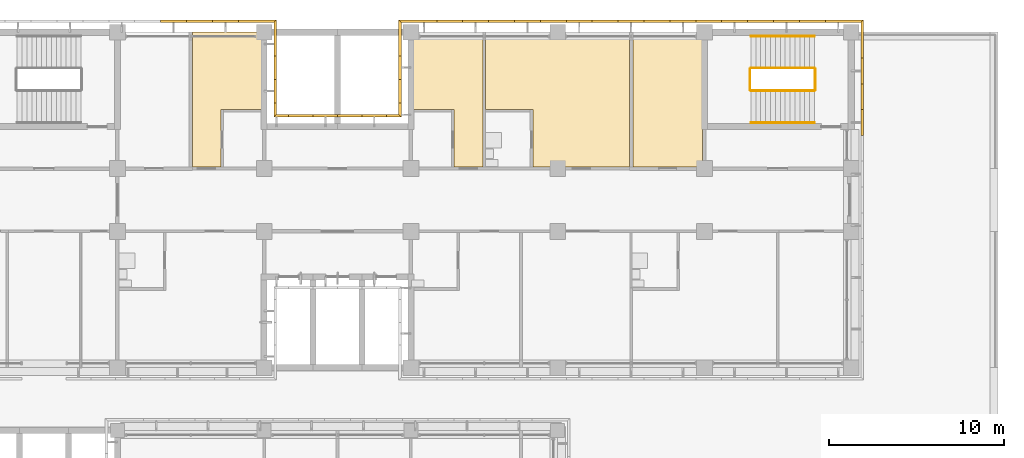
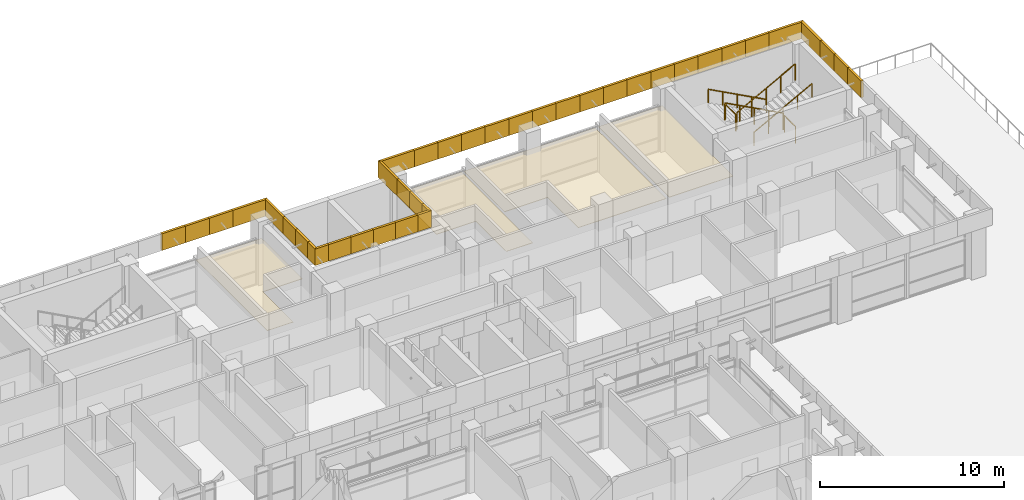
# One storey, part 136 of 137: 43 coverings, 6 railings.
"""IFC4 building model written with IfcOpenShell, lengths in metres."""

from ifc_helpers import new_model, si_unit, direction, frame, origin, origin_2d, place, context, subcontext, project, spatial, polyline, circle, outline, extrude, material, layer, layer_set, type_object, element, save


model = new_model("IFC4")

# Units and contexts
model_context = context("Model", 3, precision=1e-05, world=origin(), true_north=direction((0.0, 1.0)))
body_context = subcontext(model_context, "Body", "Model", "MODEL_VIEW")
ifc_project = project(units=[si_unit("LENGTHUNIT", "METRE"), si_unit("AREAUNIT", "SQUARE_METRE"), si_unit("VOLUMEUNIT", "CUBIC_METRE"), si_unit("PLANEANGLEUNIT", "RADIAN"), si_unit("MASSUNIT", "GRAM", prefix="KILO")], contexts=[model_context])

# Site, building, storey
site_placement = place(None, origin())
site = spatial("IfcSite", under=ifc_project, at=site_placement, CompositionType="ELEMENT")
building_placement = place(site_placement, origin())
building = spatial("IfcBuilding", under=site, at=building_placement, Name="Bougainvillea Quay General Hospital", CompositionType="ELEMENT")
storey_placement = place(building_placement, frame((0.0, 0.0, 16.800048828125)))
storey = spatial("IfcBuildingStorey", under=building, at=storey_placement, Name="L03", CompositionType="ELEMENT", Elevation=16.800048828125)

# Coverings
ifc_material_1 = material(Name="Powder-coated aluminium fascia, white", Category="aluminium")
ifc_layer_1 = layer(ifc_material_1, 0.14990234375)
ifc_layer_set_1 = layer_set([ifc_layer_1], Name="Powder-coated aluminium fascia, white")
covering_type_1 = type_object("IfcCoveringType", Name="Aluminium fascia band white 150x1100", PredefinedType="CLADDING", material=ifc_layer_set_1)
covering_1_placement = place(storey_placement, frame((185.35009765625, 153.6923828125, 3.64990234375), z_axis=(0.0, 0.0, 1.0), x_axis=(0.0, 1.0, 0.0)))
element("IfcCovering", 1, at=covering_1_placement, inside=storey, type_object=covering_type_1, Name="Fascia band white e0 49", PredefinedType="CLADDING", context=body_context, shape_type="SweptSolid", body=[
    extrude(outline(polyline([(0.0, 0.0), (1.476806640625, 0.0), (1.476806640625, -0.14990234375), (0.0, -0.14990234375), (0.0, 0.0)])), origin(), (0.0, 0.0, 1.0), 1.10009765625),
])
covering_2_placement = place(storey_placement, frame((185.35009765625, 155.169189453125, 3.64990234375), z_axis=(0.0, 0.0, 1.0), x_axis=(0.0, 1.0, 0.0)))
element("IfcCovering", 2, at=covering_2_placement, inside=storey, type_object=covering_type_1, Name="Fascia band white e0 50", PredefinedType="CLADDING", context=body_context, shape_type="SweptSolid", body=[
    extrude(outline(polyline([(0.0, 0.0), (1.47705078125, 0.0), (1.47705078125, -0.14990234375), (0.0, -0.14990234375), (0.0, 0.0)])), origin(), (0.0, 0.0, 1.0), 1.10009765625),
])
covering_3_placement = place(storey_placement, frame((185.35009765625, 156.646240234375, 3.64990234375), z_axis=(0.0, 0.0, 1.0), x_axis=(0.0, 1.0, 0.0)))
element("IfcCovering", 3, at=covering_3_placement, inside=storey, type_object=covering_type_1, Name="Fascia band white e0 51", PredefinedType="CLADDING", context=body_context, shape_type="SweptSolid", body=[
    extrude(outline(polyline([(0.0, 0.0), (1.476806640625, 0.0), (1.476806640625, -0.14990234375), (0.0, -0.14990234375), (0.0, 0.0)])), origin(), (0.0, 0.0, 1.0), 1.10009765625),
])
covering_4_placement = place(storey_placement, frame((185.35009765625, 158.123046875, 3.64990234375), z_axis=(0.0, 0.0, 1.0), x_axis=(0.0, 1.0, 0.0)))
element("IfcCovering", 4, at=covering_4_placement, inside=storey, type_object=covering_type_1, Name="Fascia band white e0 52", PredefinedType="CLADDING", context=body_context, shape_type="SweptSolid", body=[
    extrude(outline(polyline([(0.0, 0.0), (2.02685546875, 0.0), (2.177001953125, -0.14990234375), (0.0, -0.14990234375), (0.0, 0.0)])), origin(), (0.0, 0.0, 1.0), 1.10009765625),
])
covering_5_placement = place(storey_placement, frame((185.35009765625, 160.14990234375, 3.64990234375), z_axis=(0.0, 0.0, 1.0), x_axis=(-1.0, 0.0, 0.0)))
element("IfcCovering", 5, at=covering_5_placement, inside=storey, type_object=covering_type_1, Name="Fascia band white e0 53", PredefinedType="CLADDING", context=body_context, shape_type="SweptSolid", body=[
    extrude(outline(polyline([(0.0, 0.0), (2.032470703125, 0.0), (2.032470703125, -0.150146484375), (-0.14990234375, -0.150146484375), (0.0, 0.0)])), origin(), (0.0, 0.0, 1.0), 1.10009765625),
])
covering_6_placement = place(storey_placement, frame((183.317626953125, 160.14990234375, 3.64990234375), z_axis=(0.0, 0.0, 1.0), x_axis=(-1.0, 0.0, 0.0)))
element("IfcCovering", 6, at=covering_6_placement, inside=storey, type_object=covering_type_1, Name="Fascia band white e0 54", PredefinedType="CLADDING", context=body_context, shape_type="SweptSolid", body=[
    extrude(outline(polyline([(0.0, 0.0), (1.482421875, 0.0), (1.482421875, -0.150146484375), (0.0, -0.150146484375), (0.0, 0.0)])), origin(), (0.0, 0.0, 1.0), 1.10009765625),
])
covering_7_placement = place(storey_placement, frame((181.835205078125, 160.14990234375, 3.64990234375), z_axis=(0.0, 0.0, 1.0), x_axis=(-1.0, 0.0, 0.0)))
element("IfcCovering", 7, at=covering_7_placement, inside=storey, type_object=covering_type_1, Name="Fascia band white e0 55", PredefinedType="CLADDING", context=body_context, shape_type="SweptSolid", body=[
    extrude(outline(polyline([(0.0, 0.0), (1.482177734375, 0.0), (1.482177734375, -0.150146484375), (0.0, -0.150146484375), (0.0, 0.0)])), origin(), (0.0, 0.0, 1.0), 1.10009765625),
])
for number, where, z_axis, x_axis, name in (
    (8, (180.35302734375, 160.14990234375, 3.64990234375), (0.0, 0.0, 1.0), (-1.0, 0.0, 0.0), "Fascia band white e0 56"),
    (9, (178.87060546875, 160.14990234375, 3.64990234375), (0.0, 0.0, 1.0), (-1.0, 0.0, 0.0), "Fascia band white e0 57"),
    (10, (177.38818359375, 160.14990234375, 3.64990234375), (0.0, 0.0, 1.0), (-1.0, 0.0, 0.0), "Fascia band white e0 58"),
):
    element("IfcCovering", number, at=place(storey_placement, frame(where, z_axis=z_axis, x_axis=x_axis)), inside=storey, type_object=covering_type_1, Name=name, PredefinedType="CLADDING", context=body_context, shape_type="SweptSolid", body=[
        extrude(outline(polyline([(0.0, 0.0), (1.482421875, 0.0), (1.482421875, -0.150146484375), (0.0, -0.150146484375), (0.0, 0.0)])), origin(), (0.0, 0.0, 1.0), 1.10009765625),
    ])
covering_8_placement = place(storey_placement, frame((175.90576171875, 160.14990234375, 3.64990234375), z_axis=(0.0, 0.0, 1.0), x_axis=(-1.0, 0.0, 0.0)))
element("IfcCovering", 11, at=covering_8_placement, inside=storey, type_object=covering_type_1, Name="Fascia band white e0 59", PredefinedType="CLADDING", context=body_context, shape_type="SweptSolid", body=[
    extrude(outline(polyline([(0.0, 0.0), (1.482177734375, 0.0), (1.482177734375, -0.150146484375), (0.0, -0.150146484375), (0.0, 0.0)])), origin(), (0.0, 0.0, 1.0), 1.10009765625),
])
for number, where, z_axis, x_axis, name in (
    (12, (174.423583984375, 160.14990234375, 3.64990234375), (0.0, 0.0, 1.0), (-1.0, 0.0, 0.0), "Fascia band white e0 60"),
    (13, (172.941162109375, 160.14990234375, 3.64990234375), (0.0, 0.0, 1.0), (-1.0, 0.0, 0.0), "Fascia band white e0 61"),
):
    element("IfcCovering", number, at=place(storey_placement, frame(where, z_axis=z_axis, x_axis=x_axis)), inside=storey, type_object=covering_type_1, Name=name, PredefinedType="CLADDING", context=body_context, shape_type="SweptSolid", body=[
        extrude(outline(polyline([(0.0, 0.0), (1.482421875, 0.0), (1.482421875, -0.150146484375), (0.0, -0.150146484375), (0.0, 0.0)])), origin(), (0.0, 0.0, 1.0), 1.10009765625),
    ])
covering_9_placement = place(storey_placement, frame((171.458740234375, 160.14990234375, 3.64990234375), z_axis=(0.0, 0.0, 1.0), x_axis=(-1.0, 0.0, 0.0)))
element("IfcCovering", 14, at=covering_9_placement, inside=storey, type_object=covering_type_1, Name="Fascia band white e0 62", PredefinedType="CLADDING", context=body_context, shape_type="SweptSolid", body=[
    extrude(outline(polyline([(0.0, 0.0), (1.482177734375, 0.0), (1.482177734375, -0.150146484375), (0.0, -0.150146484375), (0.0, 0.0)])), origin(), (0.0, 0.0, 1.0), 1.10009765625),
])
for number, where, z_axis, x_axis, name in (
    (15, (169.9765625, 160.14990234375, 3.64990234375), (0.0, 0.0, 1.0), (-1.0, 0.0, 0.0), "Fascia band white e0 63"),
    (16, (168.494140625, 160.14990234375, 3.64990234375), (0.0, 0.0, 1.0), (-1.0, 0.0, 0.0), "Fascia band white e0 64"),
    (17, (167.01171875, 160.14990234375, 3.64990234375), (0.0, 0.0, 1.0), (-1.0, 0.0, 0.0), "Fascia band white e0 65"),
):
    element("IfcCovering", number, at=place(storey_placement, frame(where, z_axis=z_axis, x_axis=x_axis)), inside=storey, type_object=covering_type_1, Name=name, PredefinedType="CLADDING", context=body_context, shape_type="SweptSolid", body=[
        extrude(outline(polyline([(0.0, 0.0), (1.482421875, 0.0), (1.482421875, -0.150146484375), (0.0, -0.150146484375), (0.0, 0.0)])), origin(), (0.0, 0.0, 1.0), 1.10009765625),
    ])
covering_10_placement = place(storey_placement, frame((165.529296875, 160.14990234375, 3.64990234375), z_axis=(0.0, 0.0, 1.0), x_axis=(-1.0, 0.0, 0.0)))
element("IfcCovering", 18, at=covering_10_placement, inside=storey, type_object=covering_type_1, Name="Fascia band white e0 66", PredefinedType="CLADDING", context=body_context, shape_type="SweptSolid", body=[
    extrude(outline(polyline([(0.0, 0.0), (1.482177734375, 0.0), (1.482177734375, -0.150146484375), (0.0, -0.150146484375), (0.0, 0.0)])), origin(), (0.0, 0.0, 1.0), 1.10009765625),
])
for number, where, z_axis, x_axis, name in (
    (19, (164.047119140625, 160.14990234375, 3.64990234375), (0.0, 0.0, 1.0), (-1.0, 0.0, 0.0), "Fascia band white e0 67"),
    (20, (162.564697265625, 160.14990234375, 3.64990234375), (0.0, 0.0, 1.0), (-1.0, 0.0, 0.0), "Fascia band white e0 68"),
):
    element("IfcCovering", number, at=place(storey_placement, frame(where, z_axis=z_axis, x_axis=x_axis)), inside=storey, type_object=covering_type_1, Name=name, PredefinedType="CLADDING", context=body_context, shape_type="SweptSolid", body=[
        extrude(outline(polyline([(0.0, 0.0), (1.482421875, 0.0), (1.482421875, -0.150146484375), (0.0, -0.150146484375), (0.0, 0.0)])), origin(), (0.0, 0.0, 1.0), 1.10009765625),
    ])
covering_11_placement = place(storey_placement, frame((161.082275390625, 160.14990234375, 3.64990234375), z_axis=(0.0, 0.0, 1.0), x_axis=(-1.0, 0.0, 0.0)))
element("IfcCovering", 21, at=covering_11_placement, inside=storey, type_object=covering_type_1, Name="Fascia band white e0 69", PredefinedType="CLADDING", context=body_context, shape_type="SweptSolid", body=[
    extrude(outline(polyline([(0.0, 0.0), (2.0322265625, 0.0), (2.182373046875, -0.150146484375), (0.0, -0.150146484375), (0.0, 0.0)])), origin(), (0.0, 0.0, 1.0), 1.10009765625),
])
covering_12_placement = place(storey_placement, frame((159.050048828125, 160.14990234375, 3.64990234375), z_axis=(0.0, 0.0, 1.0), x_axis=(0.0, -1.0, 0.0)))
element("IfcCovering", 22, at=covering_12_placement, inside=storey, type_object=covering_type_1, Name="Fascia band white e0 70", PredefinedType="CLADDING", context=body_context, shape_type="SweptSolid", body=[
    extrude(outline(polyline([(0.0, 0.0), (1.89990234375, 0.0), (1.89990234375, -0.150146484375), (-0.150146484375, -0.150146484375), (0.0, 0.0)])), origin(), (0.0, 0.0, 1.0), 1.10009765625),
])
covering_13_placement = place(storey_placement, frame((159.050048828125, 158.25, 3.64990234375), z_axis=(0.0, 0.0, 1.0), x_axis=(0.0, -1.0, 0.0)))
element("IfcCovering", 23, at=covering_13_placement, inside=storey, type_object=covering_type_1, Name="Fascia band white e0 71", PredefinedType="CLADDING", context=body_context, shape_type="SweptSolid", body=[
    extrude(outline(polyline([(0.0, 0.0), (1.35009765625, 0.0), (1.35009765625, -0.150146484375), (0.0, -0.150146484375), (0.0, 0.0)])), origin(), (0.0, 0.0, 1.0), 1.10009765625),
])
covering_14_placement = place(storey_placement, frame((159.050048828125, 156.89990234375, 3.64990234375), z_axis=(0.0, 0.0, 1.0), x_axis=(0.0, -1.0, 0.0)))
element("IfcCovering", 24, at=covering_14_placement, inside=storey, type_object=covering_type_1, Name="Fascia band white e0 72", PredefinedType="CLADDING", context=body_context, shape_type="SweptSolid", body=[
    extrude(outline(polyline([(0.0, 0.0), (1.349853515625, 0.0), (1.349853515625, -0.150146484375), (0.0, -0.150146484375), (0.0, 0.0)])), origin(), (0.0, 0.0, 1.0), 1.10009765625),
])
covering_15_placement = place(storey_placement, frame((159.050048828125, 155.550048828125, 3.64990234375), z_axis=(0.0, 0.0, 1.0), x_axis=(0.0, -1.0, 0.0)))
element("IfcCovering", 25, at=covering_15_placement, inside=storey, type_object=covering_type_1, Name="Fascia band white e0 73", PredefinedType="CLADDING", context=body_context, shape_type="SweptSolid", body=[
    extrude(outline(polyline([(0.0, 0.0), (0.800048828125, 0.0), (0.650146484375, -0.150146484375), (0.0, -0.150146484375), (0.0, 0.0)])), origin(), (0.0, 0.0, 1.0), 1.10009765625),
])
covering_16_placement = place(storey_placement, frame((159.050048828125, 154.75, 3.64990234375), z_axis=(0.0, 0.0, 1.0), x_axis=(-1.0, 0.0, 0.0)))
element("IfcCovering", 26, at=covering_16_placement, inside=storey, type_object=covering_type_1, Name="Fascia band white e0 74", PredefinedType="CLADDING", context=body_context, shape_type="SweptSolid", body=[
    extrude(outline(polyline([(0.0, 0.0), (0.85009765625, 0.0), (0.85009765625, -0.14990234375), (0.150146484375, -0.14990234375), (0.0, 0.0)])), origin(), (0.0, 0.0, 1.0), 1.10009765625),
])
covering_17_placement = place(storey_placement, frame((158.199951171875, 154.75, 3.64990234375), z_axis=(0.0, 0.0, 1.0), x_axis=(-1.0, 0.0, 0.0)))
element("IfcCovering", 27, at=covering_17_placement, inside=storey, type_object=covering_type_1, Name="Fascia band white e0 75", PredefinedType="CLADDING", context=body_context, shape_type="SweptSolid", body=[
    extrude(outline(polyline([(0.0, 0.0), (1.39990234375, 0.0), (1.39990234375, -0.14990234375), (0.0, -0.14990234375), (0.0, 0.0)])), origin(), (0.0, 0.0, 1.0), 1.10009765625),
])
covering_18_placement = place(storey_placement, frame((156.800048828125, 154.75, 3.64990234375), z_axis=(0.0, 0.0, 1.0), x_axis=(-1.0, 0.0, 0.0)))
element("IfcCovering", 28, at=covering_18_placement, inside=storey, type_object=covering_type_1, Name="Fascia band white e0 76", PredefinedType="CLADDING", context=body_context, shape_type="SweptSolid", body=[
    extrude(outline(polyline([(0.0, 0.0), (1.400146484375, 0.0), (1.400146484375, -0.14990234375), (0.0, -0.14990234375), (0.0, 0.0)])), origin(), (0.0, 0.0, 1.0), 1.10009765625),
])
for number, where, z_axis, x_axis, name in (
    (29, (155.39990234375, 154.75, 3.64990234375), (0.0, 0.0, 1.0), (-1.0, 0.0, 0.0), "Fascia band white e0 77"),
    (30, (154.0, 154.75, 3.64990234375), (0.0, 0.0, 1.0), (-1.0, 0.0, 0.0), "Fascia band white e0 78"),
):
    element("IfcCovering", number, at=place(storey_placement, frame(where, z_axis=z_axis, x_axis=x_axis)), inside=storey, type_object=covering_type_1, Name=name, PredefinedType="CLADDING", context=body_context, shape_type="SweptSolid", body=[
        extrude(outline(polyline([(0.0, 0.0), (1.39990234375, 0.0), (1.39990234375, -0.14990234375), (0.0, -0.14990234375), (0.0, 0.0)])), origin(), (0.0, 0.0, 1.0), 1.10009765625),
    ])
covering_19_placement = place(storey_placement, frame((152.60009765625, 154.75, 3.64990234375), z_axis=(0.0, 0.0, 1.0), x_axis=(-1.0, 0.0, 0.0)))
element("IfcCovering", 31, at=covering_19_placement, inside=storey, type_object=covering_type_1, Name="Fascia band white e0 79", PredefinedType="CLADDING", context=body_context, shape_type="SweptSolid", body=[
    extrude(outline(polyline([(0.0, 0.0), (0.85009765625, 0.0), (0.7001953125, -0.14990234375), (0.0, -0.14990234375), (0.0, 0.0)])), origin(), (0.0, 0.0, 1.0), 1.10009765625),
])
covering_20_placement = place(storey_placement, frame((151.75, 154.75, 3.64990234375), z_axis=(0.0, 0.0, 1.0), x_axis=(0.0, 1.0, 0.0)))
element("IfcCovering", 32, at=covering_20_placement, inside=storey, type_object=covering_type_1, Name="Fascia band white e0 80", PredefinedType="CLADDING", context=body_context, shape_type="SweptSolid", body=[
    extrude(outline(polyline([(0.0, 0.0), (0.800048828125, 0.0), (0.800048828125, -0.14990234375), (0.14990234375, -0.14990234375), (0.0, 0.0)])), origin(), (0.0, 0.0, 1.0), 1.10009765625),
])
covering_21_placement = place(storey_placement, frame((151.75, 155.550048828125, 3.64990234375), z_axis=(0.0, 0.0, 1.0), x_axis=(0.0, 1.0, 0.0)))
element("IfcCovering", 33, at=covering_21_placement, inside=storey, type_object=covering_type_1, Name="Fascia band white e0 81", PredefinedType="CLADDING", context=body_context, shape_type="SweptSolid", body=[
    extrude(outline(polyline([(0.0, 0.0), (1.349853515625, 0.0), (1.349853515625, -0.14990234375), (0.0, -0.14990234375), (0.0, 0.0)])), origin(), (0.0, 0.0, 1.0), 1.10009765625),
])
covering_22_placement = place(storey_placement, frame((151.75, 156.89990234375, 3.64990234375), z_axis=(0.0, 0.0, 1.0), x_axis=(0.0, 1.0, 0.0)))
element("IfcCovering", 34, at=covering_22_placement, inside=storey, type_object=covering_type_1, Name="Fascia band white e0 82", PredefinedType="CLADDING", context=body_context, shape_type="SweptSolid", body=[
    extrude(outline(polyline([(0.0, 0.0), (1.35009765625, 0.0), (1.35009765625, -0.14990234375), (0.0, -0.14990234375), (0.0, 0.0)])), origin(), (0.0, 0.0, 1.0), 1.10009765625),
])
covering_23_placement = place(storey_placement, frame((151.75, 158.25, 3.64990234375), z_axis=(0.0, 0.0, 1.0), x_axis=(0.0, 1.0, 0.0)))
element("IfcCovering", 35, at=covering_23_placement, inside=storey, type_object=covering_type_1, Name="Fascia band white e0 83", PredefinedType="CLADDING", context=body_context, shape_type="SweptSolid", body=[
    extrude(outline(polyline([(0.0, 0.0), (1.89990234375, 0.0), (2.050048828125, -0.14990234375), (0.0, -0.14990234375), (0.0, 0.0)])), origin(), (0.0, 0.0, 1.0), 1.10009765625),
])
covering_24_placement = place(storey_placement, frame((151.75, 160.14990234375, 3.64990234375), z_axis=(0.0, 0.0, 1.0), x_axis=(-1.0, 0.0, 0.0)))
element("IfcCovering", 36, at=covering_24_placement, inside=storey, type_object=covering_type_1, Name="Fascia band white e0 84", PredefinedType="CLADDING", context=body_context, shape_type="SweptSolid", body=[
    extrude(outline(polyline([(0.0, 0.0), (2.032470703125, 0.0), (2.032470703125, -0.150146484375), (-0.14990234375, -0.150146484375), (0.0, 0.0)])), origin(), (0.0, 0.0, 1.0), 1.10009765625),
])
covering_25_placement = place(storey_placement, frame((149.717529296875, 160.14990234375, 3.64990234375), z_axis=(0.0, 0.0, 1.0), x_axis=(-1.0, 0.0, 0.0)))
element("IfcCovering", 37, at=covering_25_placement, inside=storey, type_object=covering_type_1, Name="Fascia band white e0 85", PredefinedType="CLADDING", context=body_context, shape_type="SweptSolid", body=[
    extrude(outline(polyline([(0.0, 0.0), (1.482177734375, 0.0), (1.482177734375, -0.150146484375), (0.0, -0.150146484375), (0.0, 0.0)])), origin(), (0.0, 0.0, 1.0), 1.10009765625),
])
for number, where, z_axis, x_axis, name in (
    (38, (148.2353515625, 160.14990234375, 3.64990234375), (0.0, 0.0, 1.0), (-1.0, 0.0, 0.0), "Fascia band white e0 86"),
    (39, (146.7529296875, 160.14990234375, 3.64990234375), (0.0, 0.0, 1.0), (-1.0, 0.0, 0.0), "Fascia band white e0 87"),
):
    element("IfcCovering", number, at=place(storey_placement, frame(where, z_axis=z_axis, x_axis=x_axis)), inside=storey, type_object=covering_type_1, Name=name, PredefinedType="CLADDING", context=body_context, shape_type="SweptSolid", body=[
        extrude(outline(polyline([(0.0, 0.0), (1.482421875, 0.0), (1.482421875, -0.150146484375), (0.0, -0.150146484375), (0.0, 0.0)])), origin(), (0.0, 0.0, 1.0), 1.10009765625),
    ])

# Railings
ifc_material_2 = material(Name="Stainless steel 304 balustrade", Category="steel")
railing_type_1 = type_object("IfcRailingType", Name="Stair guard 1100", PredefinedType="GUARDRAIL", material=ifc_material_2)
railing_1_placement = place(storey_placement, frame((182.699951171875, 157.550048828125, 0.14990234375)))
element("IfcRailing", 40, at=railing_1_placement, inside=storey, type_object=railing_type_1, Name="L03 ST-A4 stair guard 1", PredefinedType="GUARDRAIL", context=body_context, shape_type="SweptSolid", body=[
    extrude(circle(Radius=0.02392578125, at=origin_2d()), frame((0.0, 0.0, 1.076171875), z_axis=(-0.881479091078, 0.0, 0.472223053219), x_axis=(0.0, -1.0, 0.0)), (0.0, 0.0, 1.0), 4.12939453125),
    extrude(circle(Radius=0.02099609375, at=origin_2d()), origin(), (0.0, 0.0, 1.0), 1.052001953125),
    extrude(circle(Radius=0.02099609375, at=origin_2d()), frame((-0.909912109375, 0.0, 0.487548828125)), (0.0, 0.0, 1.0), 1.052001953125),
    extrude(circle(Radius=0.02099609375, at=origin_2d()), frame((-1.81982421875, 0.0, 0.97509765625)), (0.0, 0.0, 1.0), 1.052001953125),
    extrude(circle(Radius=0.02099609375, at=origin_2d()), frame((-2.72998046875, 0.0, 1.46240234375)), (0.0, 0.0, 1.0), 1.052001953125),
    extrude(circle(Radius=0.02099609375, at=origin_2d()), frame((-3.639892578125, 0.0, 1.949951171875)), (0.0, 0.0, 1.0), 1.052001953125),
])
railing_2_placement = place(storey_placement, frame((179.010009765625, 157.5, 2.099853515625)))
element("IfcRailing", 41, at=railing_2_placement, inside=storey, type_object=railing_type_1, Name="L03 ST-A4 stair guard 2", PredefinedType="GUARDRAIL", context=body_context, shape_type="SweptSolid", body=[
    extrude(circle(Radius=0.02392578125, at=origin_2d()), frame((0.0, 0.0, 1.076171875), z_axis=(0.0, -1.0, 0.0), x_axis=(1.0, 0.0, 0.0)), (0.0, 0.0, 1.0), 1.199951171875),
    extrude(circle(Radius=0.02099609375, at=origin_2d()), origin(), (0.0, 0.0, 1.0), 1.052001953125),
    extrude(circle(Radius=0.02099609375, at=origin_2d()), frame((0.0, -1.199951171875, 0.0)), (0.0, 0.0, 1.0), 1.052001953125),
])
railing_3_placement = place(storey_placement, frame((179.06005859375, 156.25, 2.25)))
element("IfcRailing", 42, at=railing_3_placement, inside=storey, type_object=railing_type_1, Name="L03 ST-A4 stair guard 3", PredefinedType="GUARDRAIL", context=body_context, shape_type="SweptSolid", body=[
    extrude(circle(Radius=0.02392578125, at=origin_2d()), frame((0.0, 0.0, 1.076171875), z_axis=(0.881479091078, 0.0, 0.472223053219), x_axis=(0.0, 1.0, 0.0)), (0.0, 0.0, 1.0), 4.12939453125),
    extrude(circle(Radius=0.02099609375, at=origin_2d()), origin(), (0.0, 0.0, 1.0), 1.052001953125),
    extrude(circle(Radius=0.02099609375, at=origin_2d()), frame((0.909912109375, 0.0, 0.487548828125)), (0.0, 0.0, 1.0), 1.052001953125),
    extrude(circle(Radius=0.02099609375, at=origin_2d()), frame((1.81982421875, 0.0, 0.97509765625)), (0.0, 0.0, 1.0), 1.052001953125),
    extrude(circle(Radius=0.02099609375, at=origin_2d()), frame((2.72998046875, 0.0, 1.46240234375)), (0.0, 0.0, 1.0), 1.052001953125),
    extrude(circle(Radius=0.02099609375, at=origin_2d()), frame((3.639892578125, 0.0, 1.949951171875)), (0.0, 0.0, 1.0), 1.052001953125),
])
railing_4_placement = place(storey_placement, frame((182.75, 157.5, 0.0)))
element("IfcRailing", 43, at=railing_4_placement, inside=storey, type_object=railing_type_1, Name="L03 ST-A4 stair guard 4", PredefinedType="GUARDRAIL", context=body_context, shape_type="SweptSolid", body=[
    extrude(circle(Radius=0.02392578125, at=origin_2d()), frame((0.0, 0.0, 1.076171875), z_axis=(0.0, -1.0, 0.0), x_axis=(1.0, 0.0, 0.0)), (0.0, 0.0, 1.0), 1.199951171875),
    extrude(circle(Radius=0.02099609375, at=origin_2d()), origin(), (0.0, 0.0, 1.0), 1.052001953125),
    extrude(circle(Radius=0.02099609375, at=origin_2d()), frame((0.0, -1.199951171875, 0.0)), (0.0, 0.0, 1.0), 1.052001953125),
])
ifc_material_3 = material(Name="Stainless steel 304 handrail", Category="steel")
railing_type_2 = type_object("IfcRailingType", Name="Stair handrail 900", PredefinedType="HANDRAIL", material=ifc_material_3)
railing_5_placement = place(storey_placement, frame((182.699951171875, 159.375, 0.14990234375)))
element("IfcRailing", 44, at=railing_5_placement, inside=storey, type_object=railing_type_2, Name="L03 ST-A4 stair handrail 1", PredefinedType="HANDRAIL", context=body_context, shape_type="SweptSolid", body=[
    extrude(circle(Radius=0.02392578125, at=origin_2d()), frame((0.0, 0.0, 0.8759765625), z_axis=(-0.881479091078, 0.0, 0.472223053219), x_axis=(0.0, -1.0, 0.0)), (0.0, 0.0, 1.0), 4.12939453125),
    extrude(circle(Radius=0.02099609375, at=origin_2d()), origin(), (0.0, 0.0, 1.0), 0.851806640625),
    extrude(circle(Radius=0.02099609375, at=origin_2d()), frame((-0.909912109375, 0.0, 0.487548828125)), (0.0, 0.0, 1.0), 0.851806640625),
    extrude(circle(Radius=0.02099609375, at=origin_2d()), frame((-1.81982421875, 0.0, 0.97509765625)), (0.0, 0.0, 1.0), 0.851806640625),
    extrude(circle(Radius=0.02099609375, at=origin_2d()), frame((-2.72998046875, 0.0, 1.46240234375)), (0.0, 0.0, 1.0), 0.851806640625),
    extrude(circle(Radius=0.02099609375, at=origin_2d()), frame((-3.639892578125, 0.0, 1.949951171875)), (0.0, 0.0, 1.0), 0.851806640625),
])
railing_6_placement = place(storey_placement, frame((179.06005859375, 154.425048828125, 2.25)))
element("IfcRailing", 45, at=railing_6_placement, inside=storey, type_object=railing_type_2, Name="L03 ST-A4 stair handrail 2", PredefinedType="HANDRAIL", context=body_context, shape_type="SweptSolid", body=[
    extrude(circle(Radius=0.02392578125, at=origin_2d()), frame((0.0, 0.0, 0.8759765625), z_axis=(0.881479091078, 0.0, 0.472223053219), x_axis=(0.0, 1.0, 0.0)), (0.0, 0.0, 1.0), 4.12939453125),
    extrude(circle(Radius=0.02099609375, at=origin_2d()), origin(), (0.0, 0.0, 1.0), 0.851806640625),
    extrude(circle(Radius=0.02099609375, at=origin_2d()), frame((0.909912109375, 0.0, 0.487548828125)), (0.0, 0.0, 1.0), 0.851806640625),
    extrude(circle(Radius=0.02099609375, at=origin_2d()), frame((1.81982421875, 0.0, 0.97509765625)), (0.0, 0.0, 1.0), 0.851806640625),
    extrude(circle(Radius=0.02099609375, at=origin_2d()), frame((2.72998046875, 0.0, 1.46240234375)), (0.0, 0.0, 1.0), 0.851806640625),
    extrude(circle(Radius=0.02099609375, at=origin_2d()), frame((3.639892578125, 0.0, 1.949951171875)), (0.0, 0.0, 1.0), 0.851806640625),
])

# Coverings
ifc_material_4 = material(Name="Mineral fibre ceiling tile")
ifc_layer_2 = layer(ifc_material_4, 0.030029296875)
ifc_layer_set_2 = layer_set([ifc_layer_2], Name="Mineral fibre ceiling tile")
covering_type_2 = type_object("IfcCoveringType", Name="Suspended ceiling mineral fibre tile", PredefinedType="CEILING", material=ifc_layer_set_2)
covering_26_placement = place(storey_placement, frame((0.0, 0.0, 2.699951171875)))
element("IfcCovering", 46, at=covering_26_placement, inside=storey, type_object=covering_type_2, Name="Ceiling Refuge Room RR-A4-L03", PredefinedType="CEILING", context=body_context, shape_type="SweptSolid", body=[
    extrude(outline(polyline([(172.300048828125, 159.60009765625), (172.300048828125, 151.89990234375), (176.300048828125, 151.89990234375), (176.300048828125, 159.60009765625), (172.300048828125, 159.60009765625)])), origin(), (0.0, 0.0, 1.0), 0.030029296875),
])
covering_27_placement = place(storey_placement, frame((0.0, 0.0, 2.699951171875)))
element("IfcCovering", 47, at=covering_27_placement, inside=storey, type_object=covering_type_2, Name="Ceiling Parents' Room with Baby Cots 03A30", PredefinedType="CEILING", context=body_context, shape_type="SweptSolid", body=[
    extrude(outline(polyline([(147.10009765625, 159.60009765625), (147.10009765625, 151.875), (148.72509765625, 151.875), (148.72509765625, 155.175048828125), (151.199951171875, 155.175048828125), (151.199951171875, 159.60009765625), (147.10009765625, 159.60009765625)])), origin(), (0.0, 0.0, 1.0), 0.030029296875),
])
covering_28_placement = place(storey_placement, frame((0.0, 0.0, 2.699951171875)))
element("IfcCovering", 48, at=covering_28_placement, inside=storey, type_object=covering_type_2, Name="Ceiling Parents' Room with Baby Cots 03A35", PredefinedType="CEILING", context=body_context, shape_type="SweptSolid", body=[
    extrude(outline(polyline([(159.60009765625, 159.60009765625), (159.60009765625, 155.175048828125), (162.074951171875, 155.175048828125), (162.074951171875, 151.875), (163.72509765625, 151.875), (163.72509765625, 159.60009765625), (159.60009765625, 159.60009765625)])), origin(), (0.0, 0.0, 1.0), 0.030029296875),
])
covering_29_placement = place(storey_placement, frame((0.0, 0.0, 2.699951171875)))
element("IfcCovering", 49, at=covering_29_placement, inside=storey, type_object=covering_type_2, Name="Ceiling Neonatal Intensive Care Room 03A36", PredefinedType="CEILING", context=body_context, shape_type="SweptSolid", body=[
    extrude(outline(polyline([(163.875, 159.60009765625), (163.875, 155.175048828125), (166.574951171875, 155.175048828125), (166.574951171875, 151.875), (172.10009765625, 151.875), (172.10009765625, 159.60009765625), (163.875, 159.60009765625)])), origin(), (0.0, 0.0, 1.0), 0.030029296875),
])

save(model, "model.ifc")
